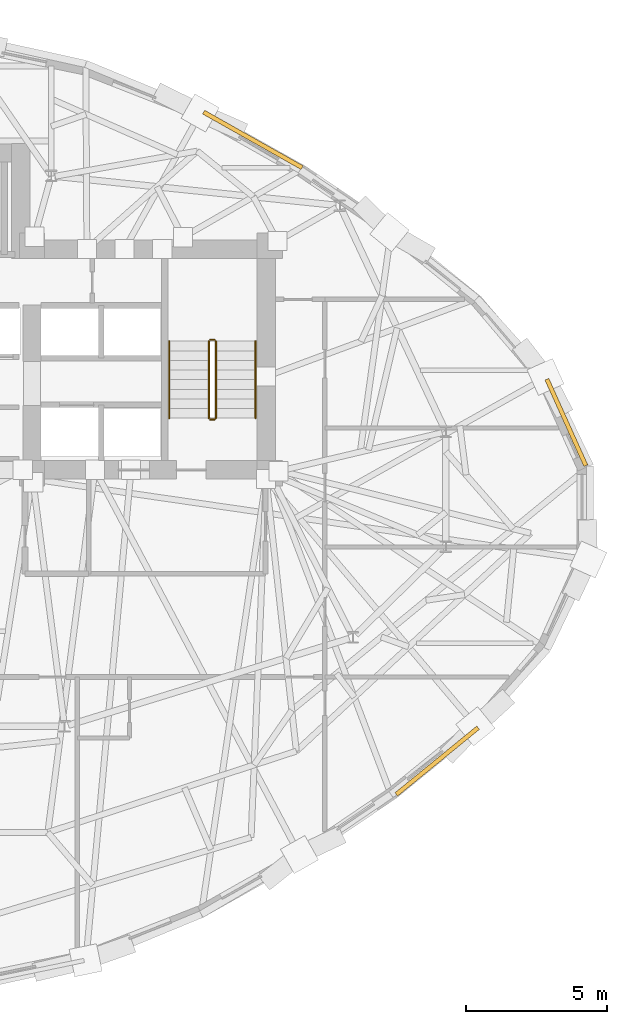
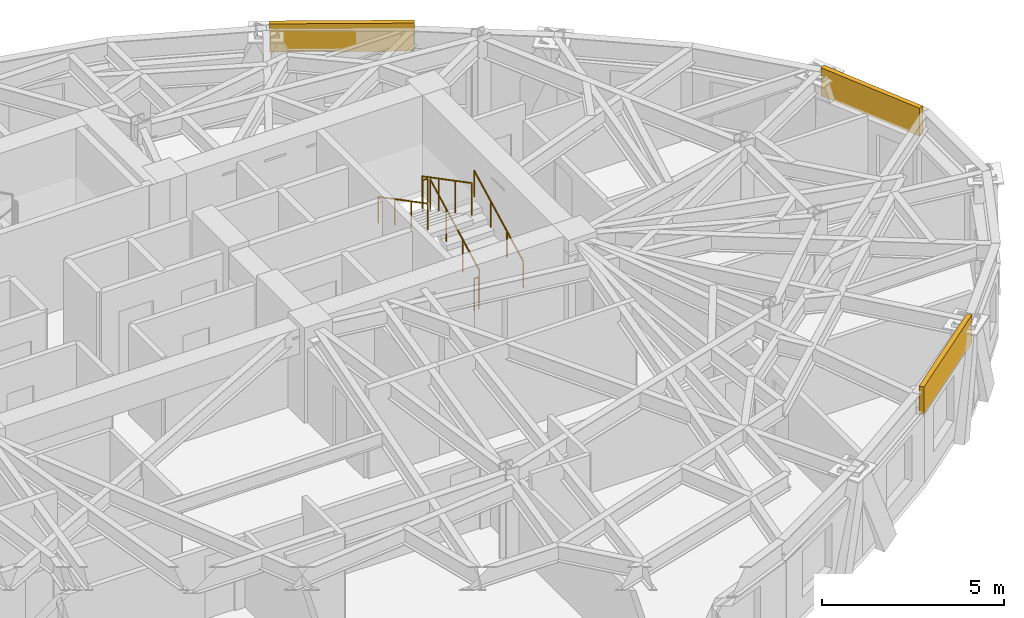
# One storey, part 13 of 14: 6 railings, 3 coverings.
"""IFC4 building model written with IfcOpenShell, lengths in metres."""

from ifc_helpers import new_model, si_unit, direction, frame, origin, origin_2d, place, context, subcontext, project, spatial, rectangle, circle, extrude, material, layer, layer_set, type_object, element, save


model = new_model("IFC4")

# Units and contexts
model_context = context("Model", 3, precision=1e-05, world=origin(), true_north=direction((0.0, 1.0)))
body_context = subcontext(model_context, "Body", "Model", "MODEL_VIEW")
ifc_project = project(units=[si_unit("LENGTHUNIT", "METRE"), si_unit("AREAUNIT", "SQUARE_METRE"), si_unit("VOLUMEUNIT", "CUBIC_METRE"), si_unit("PLANEANGLEUNIT", "RADIAN"), si_unit("MASSUNIT", "GRAM", prefix="KILO")], contexts=[model_context])

# Site, building, storey
site_placement = place(None, origin())
site = spatial("IfcSite", under=ifc_project, at=site_placement, CompositionType="ELEMENT")
building_placement = place(site_placement, origin())
building = spatial("IfcBuilding", under=site, at=building_placement, Name="Keldmark Tower", CompositionType="ELEMENT")
storey_placement = place(building_placement, frame((0.0, 0.0, 182.199951171875)))
storey = spatial("IfcBuildingStorey", under=building, at=storey_placement, Name="L50", CompositionType="ELEMENT", Elevation=182.199951171875)

# Coverings
ifc_material_1 = material(Name="Honed Kasota Buff Dolomitic Limestone", Category="masonry")
ifc_layer = layer(ifc_material_1, 0.074951171875)
ifc_layer_set = layer_set([ifc_layer], Name="Honed Kasota Buff Dolomitic Limestone")
covering_type = type_object("IfcCoveringType", Name="Kasota Buff Limestone Spandrel Cladding Band", PredefinedType="CLADDING", material=ifc_layer_set)
covering_1_placement = place(storey_placement, frame((24.0869140625, 3.19970703125, 2.239013671875), z_axis=(0.0, 0.0, 1.0), x_axis=(-0.410830242296, 0.911711857999, 0.0)))
element("IfcCovering", 1, at=covering_1_placement, inside=storey, type_object=covering_type, Name="L50 Kasota Limestone Spandrel Band 01", PredefinedType="CLADDING", context=body_context, shape_type="SweptSolid", body=[
    extrude(rectangle(XDim=3.351318359375, YDim=0.14990234375, at=origin_2d()), origin(), (0.0, 0.0, 1.0), 0.94091796875),
])
covering_2_placement = place(storey_placement, frame((13.007080078125, 13.185302734375, 2.239013671875), z_axis=(0.0, 0.0, 1.0), x_axis=(-0.87104240031, 0.491207834691, 0.0)))
element("IfcCovering", 2, at=covering_2_placement, inside=storey, type_object=covering_type, Name="L50 Kasota Limestone Spandrel Band 05", PredefinedType="CLADDING", context=body_context, shape_type="SweptSolid", body=[
    extrude(rectangle(XDim=3.99609375, YDim=0.14990234375, at=origin_2d()), origin(), (0.0, 0.0, 1.0), 0.94091796875),
])
covering_3_placement = place(storey_placement, frame((19.521240234375, -8.769287109375, 2.239013671875), z_axis=(0.0, 0.0, 1.0), x_axis=(0.775198139082, 0.631718169094, 0.0)))
element("IfcCovering", 3, at=covering_3_placement, inside=storey, type_object=covering_type, Name="L50 Kasota Limestone Spandrel Band 29", PredefinedType="CLADDING", context=body_context, shape_type="SweptSolid", body=[
    extrude(rectangle(XDim=3.727294921875, YDim=0.14990234375, at=origin_2d()), origin(), (0.0, 0.0, 1.0), 0.94091796875),
])

# Railings
ifc_material_2 = material(Name="Painted Steel ASTM A500 Grade B", Category="steel")
railing_type_1 = type_object("IfcRailingType", Name="Painted Steel Stair Well Guard 1100 mm", PredefinedType="GUARDRAIL", material=ifc_material_2)
railing_1_placement = place(storey_placement, frame((11.699951171875, 3.35009765625, 0.177734375)))
element("IfcRailing", 4, at=railing_1_placement, inside=storey, type_object=railing_type_1, Name="L50 ST2 stair guard 1", PredefinedType="GUARDRAIL", context=body_context, shape_type="SweptSolid", body=[
    extrude(circle(Radius=0.02392578125, at=origin_2d()), frame((0.0, 0.0, 1.076171875), z_axis=(0.0, 0.886150474775, 0.463397600399), x_axis=(-1.0, 0.0, 0.0)), (0.0, 0.0, 1.0), 3.0693359375),
    extrude(circle(Radius=0.02099609375, at=origin_2d()), origin(), (0.0, 0.0, 1.0), 1.052001953125),
    extrude(circle(Radius=0.02099609375, at=origin_2d()), frame((0.0, 0.90673828125, 0.47412109375)), (0.0, 0.0, 1.0), 1.052001953125),
    extrude(circle(Radius=0.02099609375, at=origin_2d()), frame((0.0, 1.813232421875, 0.9482421875)), (0.0, 0.0, 1.0), 1.052001953125),
    extrude(circle(Radius=0.02099609375, at=origin_2d()), frame((0.0, 2.719970703125, 1.42236328125)), (0.0, 0.0, 1.0), 1.052001953125),
])
railing_2_placement = place(storey_placement, frame((11.64990234375, 6.1201171875, 1.60009765625)))
element("IfcRailing", 5, at=railing_2_placement, inside=storey, type_object=railing_type_1, Name="L50 ST2 stair guard 2", PredefinedType="GUARDRAIL", context=body_context, shape_type="SweptSolid", body=[
    extrude(circle(Radius=0.02392578125, at=origin_2d()), frame((0.0, 0.0, 1.076171875), z_axis=(-1.0, 0.0, 0.0), x_axis=(0.0, -1.0, 0.0)), (0.0, 0.0, 1.0), 0.14990234375),
    extrude(circle(Radius=0.02099609375, at=origin_2d()), origin(), (0.0, 0.0, 1.0), 1.052001953125),
    extrude(circle(Radius=0.02099609375, at=origin_2d()), frame((-0.14990234375, 0.0, 0.0)), (0.0, 0.0, 1.0), 1.052001953125),
])
railing_3_placement = place(storey_placement, frame((11.449951171875, 6.070068359375, 1.77783203125)))
element("IfcRailing", 6, at=railing_3_placement, inside=storey, type_object=railing_type_1, Name="L50 ST2 stair guard 3", PredefinedType="GUARDRAIL", context=body_context, shape_type="SweptSolid", body=[
    extrude(circle(Radius=0.02392578125, at=origin_2d()), frame((0.0, 0.0, 1.076171875), z_axis=(0.0, -0.886183135912, 0.463335137482), x_axis=(1.0, 0.0, 0.0)), (0.0, 0.0, 1.0), 3.0693359375),
    extrude(circle(Radius=0.02099609375, at=origin_2d()), origin(), (0.0, 0.0, 1.0), 1.052001953125),
    extrude(circle(Radius=0.02099609375, at=origin_2d()), frame((0.0, -0.90673828125, 0.47412109375)), (0.0, 0.0, 1.0), 1.052001953125),
    extrude(circle(Radius=0.02099609375, at=origin_2d()), frame((0.0, -1.813232421875, 0.947998046875)), (0.0, 0.0, 1.0), 1.052001953125),
    extrude(circle(Radius=0.02099609375, at=origin_2d()), frame((0.0, -2.719970703125, 1.422119140625)), (0.0, 0.0, 1.0), 1.052001953125),
])
railing_4_placement = place(storey_placement, frame((11.64990234375, 3.300048828125, 0.0)))
element("IfcRailing", 7, at=railing_4_placement, inside=storey, type_object=railing_type_1, Name="L50 ST2 stair guard 4", PredefinedType="GUARDRAIL", context=body_context, shape_type="SweptSolid", body=[
    extrude(circle(Radius=0.02392578125, at=origin_2d()), frame((0.0, 0.0, 1.076171875), z_axis=(-1.0, 0.0, 0.0), x_axis=(0.0, -1.0, 0.0)), (0.0, 0.0, 1.0), 0.14990234375),
    extrude(circle(Radius=0.02099609375, at=origin_2d()), origin(), (0.0, 0.0, 1.0), 1.052001953125),
    extrude(circle(Radius=0.02099609375, at=origin_2d()), frame((-0.14990234375, 0.0, 0.0)), (0.0, 0.0, 1.0), 1.052001953125),
])
ifc_material_3 = material(Name="Stainless Steel AISI 316L", Category="steel")
railing_type_2 = type_object("IfcRailingType", Name="Stainless Steel Stair Handrail 900 mm", PredefinedType="HANDRAIL", material=ifc_material_3)
railing_5_placement = place(storey_placement, frame((13.10009765625, 3.35009765625, 0.177734375)))
element("IfcRailing", 8, at=railing_5_placement, inside=storey, type_object=railing_type_2, Name="L50 ST2 stair handrail 1", PredefinedType="HANDRAIL", context=body_context, shape_type="SweptSolid", body=[
    extrude(circle(Radius=0.02392578125, at=origin_2d()), frame((0.0, 0.0, 0.8759765625), z_axis=(0.0, 0.886150474775, 0.463397600399), x_axis=(-1.0, 0.0, 0.0)), (0.0, 0.0, 1.0), 3.0693359375),
    extrude(circle(Radius=0.02099609375, at=origin_2d()), origin(), (0.0, 0.0, 1.0), 0.851806640625),
    extrude(circle(Radius=0.02099609375, at=origin_2d()), frame((0.0, 0.90673828125, 0.47412109375)), (0.0, 0.0, 1.0), 0.851806640625),
    extrude(circle(Radius=0.02099609375, at=origin_2d()), frame((0.0, 1.813232421875, 0.9482421875)), (0.0, 0.0, 1.0), 0.851806640625),
    extrude(circle(Radius=0.02099609375, at=origin_2d()), frame((0.0, 2.719970703125, 1.42236328125)), (0.0, 0.0, 1.0), 0.851806640625),
])
railing_6_placement = place(storey_placement, frame((10.050048828125, 6.070068359375, 1.77783203125)))
element("IfcRailing", 9, at=railing_6_placement, inside=storey, type_object=railing_type_2, Name="L50 ST2 stair handrail 2", PredefinedType="HANDRAIL", context=body_context, shape_type="SweptSolid", body=[
    extrude(circle(Radius=0.02392578125, at=origin_2d()), frame((0.0, 0.0, 0.8759765625), z_axis=(0.0, -0.886183135912, 0.463335137482), x_axis=(1.0, 0.0, 0.0)), (0.0, 0.0, 1.0), 3.0693359375),
    extrude(circle(Radius=0.02099609375, at=origin_2d()), origin(), (0.0, 0.0, 1.0), 0.851806640625),
    extrude(circle(Radius=0.02099609375, at=origin_2d()), frame((0.0, -0.90673828125, 0.47412109375)), (0.0, 0.0, 1.0), 0.851806640625),
    extrude(circle(Radius=0.02099609375, at=origin_2d()), frame((0.0, -1.813232421875, 0.947998046875)), (0.0, 0.0, 1.0), 0.851806640625),
    extrude(circle(Radius=0.02099609375, at=origin_2d()), frame((0.0, -2.719970703125, 1.422119140625)), (0.0, 0.0, 1.0), 0.851806640625),
])

save(model, "model.ifc")
